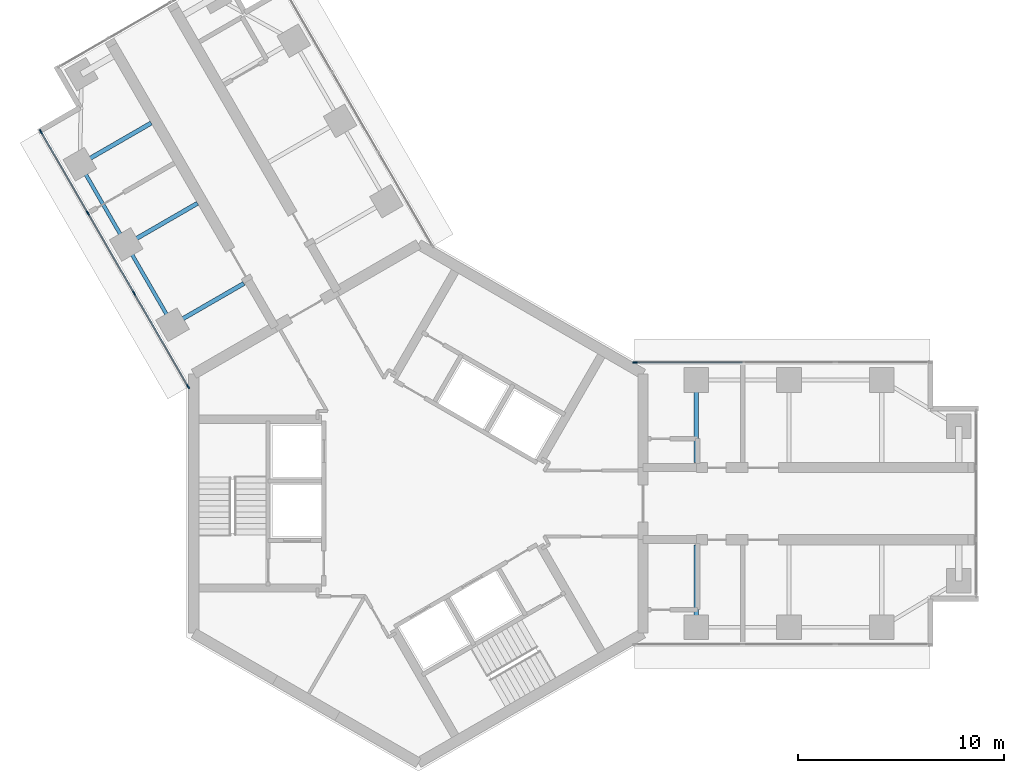
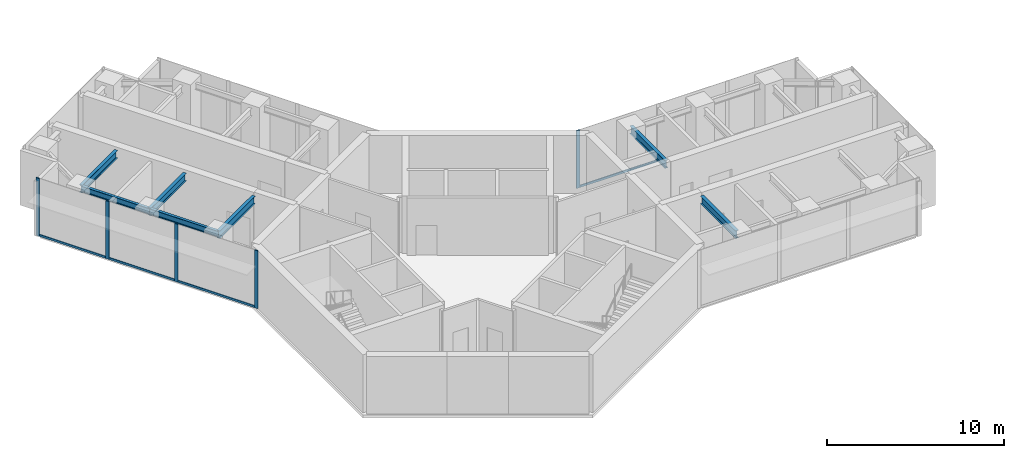
# One storey, part 5 of 17: 9 members, 7 beams, 2 elements without a shape of their own.
"""IFC4 building model written with IfcOpenShell, lengths in metres."""

from ifc_helpers import new_model, si_unit, direction, frame, origin, origin_2d, place, context, subcontext, project, spatial, rectangle, i_section, extrude, material, material_profile, profile_set, type_object, element, aggregate, save


model = new_model("IFC4")

# Units and contexts
model_context = context("Model", 3, precision=1e-05, world=origin(), true_north=direction((0.0, 1.0)))
body_context = subcontext(model_context, "Body", "Model", "MODEL_VIEW")
ifc_project = project(units=[si_unit("LENGTHUNIT", "METRE"), si_unit("AREAUNIT", "SQUARE_METRE"), si_unit("VOLUMEUNIT", "CUBIC_METRE"), si_unit("PLANEANGLEUNIT", "RADIAN"), si_unit("MASSUNIT", "GRAM", prefix="KILO")], contexts=[model_context])

# Site, building, storey
site_placement = place(None, origin())
site = spatial("IfcSite", under=ifc_project, at=site_placement, CompositionType="ELEMENT")
building_placement = place(site_placement, origin())
building = spatial("IfcBuilding", under=site, at=building_placement, Name="Upepo Twin Towers", CompositionType="ELEMENT")
storey_placement = place(building_placement, frame((0.0, 0.0, 178.5)))
storey = spatial("IfcBuildingStorey", under=building, at=storey_placement, Name="L43", CompositionType="ELEMENT", Elevation=178.5)

# Beams
ifc_material_1 = material(Name="Steel S355", Category="steel")
ifc_material_profile_1 = material_profile(ifc_material_1, i_section(OverallWidth=0.177978515625, OverallDepth=0.406494140625, WebThickness=0.0078125, FlangeThickness=0.0126953125, FilletRadius=0.01025390625, at=origin_2d()), Name="UB 406x178x60")
ifc_profile_set_1 = profile_set([ifc_material_profile_1], Name="Steel S355")
beam_type_1 = type_object("IfcBeamType", Name="Beam UB 406x178x60", PredefinedType="BEAM", material=ifc_profile_set_1)
beam_1_placement = place(storey_placement, frame((-11.946044921875, 8.69140625, 3.5966796875), z_axis=(-0.500013631625, 0.866017533419, 0.0), x_axis=(-0.866017533419, -0.500013631625, 0.0)))
element("IfcBeam", 1, at=beam_1_placement, inside=storey, type_object=beam_type_1, Name="T1 edge beam BL 13.5-18.0", PredefinedType="BEAM", context=body_context, shape_type="SweptSolid", body=[
    extrude(i_section(OverallWidth=0.177978515625, OverallDepth=0.406494140625, WebThickness=0.0078125, FlangeThickness=0.0126953125, FilletRadius=0.01025390625, at=origin_2d()), origin(), (0.0, 0.0, 1.0), 4.499755859375),
])
beam_2_placement = place(storey_placement, frame((-14.196044921875, 12.58837890625, 3.5966796875), z_axis=(-0.499990139034, 0.866031096941, 0.0), x_axis=(-0.866031096941, -0.499990139034, 0.0)))
element("IfcBeam", 2, at=beam_2_placement, inside=storey, type_object=beam_type_1, Name="T1 edge beam BL 18.0-22.5", PredefinedType="BEAM", context=body_context, shape_type="SweptSolid", body=[
    extrude(i_section(OverallWidth=0.177978515625, OverallDepth=0.406494140625, WebThickness=0.0078125, FlangeThickness=0.0126953125, FilletRadius=0.01025390625, at=origin_2d()), origin(), (0.0, 0.0, 1.0), 4.5),
])
ifc_material_2 = material(Name="Steel S355", Category="steel")
ifc_material_profile_2 = material_profile(ifc_material_2, i_section(OverallWidth=0.209228515625, OverallDepth=0.533203125, WebThickness=0.010009765625, FlangeThickness=0.015625, FilletRadius=0.0126953125, at=origin_2d()), Name="UB 533x210x92")
ifc_profile_set_2 = profile_set([ifc_material_profile_2], Name="Steel S355")
beam_type_2 = type_object("IfcBeamType", Name="Beam UB 533x210x92", PredefinedType="BEAM", material=ifc_profile_set_2)
for number, where, z_axis, x_axis, name in (
    (3, (13.5, 6.0, 3.533447265625), (0.0, -1.0, 0.0), (1.0, 0.0, 0.0), "T1 girder AL at 13.5"),
    (4, (13.5, -6.0, 3.533447265625), (0.0, 1.0, 0.0), (-1.0, 0.0, 0.0), "T1 girder AR at 13.5"),
    (5, (-11.946044921875, 8.69140625, 3.533447265625), (0.866026010844, 0.49999894854, 0.0), (-0.49999894854, 0.866026010844, 0.0), "T1 girder BL at 13.5"),
    (6, (-14.196044921875, 12.58837890625, 3.533447265625), (0.866026010844, 0.49999894854, 0.0), (-0.49999894854, 0.866026010844, 0.0), "T1 girder BL at 18.0"),
    (7, (-16.446044921875, 16.485595703125, 3.533447265625), (0.866026010844, 0.49999894854, 0.0), (-0.49999894854, 0.866026010844, 0.0), "T1 girder BL at 22.5"),
):
    element("IfcBeam", number, at=place(storey_placement, frame(where, z_axis=z_axis, x_axis=x_axis)), inside=storey, type_object=beam_type_2, Name=name, PredefinedType="BEAM", context=body_context, shape_type="SweptSolid", body=[
        extrude(i_section(OverallWidth=0.209228515625, OverallDepth=0.533203125, WebThickness=0.010009765625, FlangeThickness=0.015625, FilletRadius=0.0126953125, at=origin_2d()), origin(), (0.0, 0.0, 1.0), 4.0),
    ])

# Curtain wall, member
ifc_material_3 = material(Name="Aluminium and fritted glass", Category="aluminium")
curtain_wall_type = type_object("IfcCurtainWallType", Name="Tower curtain wall TW3, fritted glass", PredefinedType="NOTDEFINED", material=ifc_material_3)
curtain_wall_1_placement = place(storey_placement, origin())
curtain_wall_1 = element("IfcCurtainWall", 8, at=curtain_wall_1_placement, inside=storey, type_object=curtain_wall_type, Name="T1 L43 wing A flank L curtain wall", PredefinedType="NOTDEFINED")
ifc_material_4 = material(Name="Aluminium mullion", Category="aluminium")
ifc_material_profile_3 = material_profile(ifc_material_4, rectangle(XDim=0.06494140625, YDim=0.22509765625, at=origin_2d()), Name="MULLION 65x225")
ifc_profile_set_3 = profile_set([ifc_material_profile_3], Name="Aluminium mullion")
member_type_1 = type_object("IfcMemberType", Name="Mullion 65x225 TW3", PredefinedType="MULLION", material=ifc_profile_set_3)
member_1_placement = place(storey_placement, frame((10.51953125, 6.85009765625, 0.0), z_axis=(0.0, 0.0, 1.0), x_axis=(0.0, 1.0, 0.0)))
member_1 = element("IfcMember", 9, at=member_1_placement, type_object=member_type_1, Name="T1 L43 wing A flank L curtain wall mullion 1", PredefinedType="MULLION", context=body_context, shape_type="SweptSolid", body=[
    extrude(rectangle(XDim=0.06494140625, YDim=0.22509765625, at=origin_2d()), origin(), (0.0, 0.0, 1.0), 4.0),
])

# Curtain wall, members
curtain_wall_2_placement = place(storey_placement, origin())
curtain_wall_2 = element("IfcCurtainWall", 10, at=curtain_wall_2_placement, inside=storey, type_object=curtain_wall_type, Name="T1 L43 wing B flank L curtain wall", PredefinedType="NOTDEFINED")
member_2_placement = place(storey_placement, frame((-11.192138671875, 5.685302734375, 0.0), z_axis=(0.0, 0.0, 1.0), x_axis=(-0.866025388469, -0.500000026527, 0.0)))
member_2 = element("IfcMember", 11, at=member_2_placement, type_object=member_type_1, Name="T1 L43 wing B flank L curtain wall mullion 1", PredefinedType="MULLION", context=body_context, shape_type="SweptSolid", body=[
    extrude(rectangle(XDim=0.06494140625, YDim=0.22509765625, at=origin_2d()), origin(), (0.0, 0.0, 1.0), 4.0),
])
member_3_placement = place(storey_placement, frame((-13.807373046875, 10.21484375, 0.0), z_axis=(0.0, 0.0, 1.0), x_axis=(-0.866025388469, -0.500000026527, 0.0)))
member_3 = element("IfcMember", 12, at=member_3_placement, type_object=member_type_1, Name="T1 L43 wing B flank L curtain wall mullion 2", PredefinedType="MULLION", context=body_context, shape_type="SweptSolid", body=[
    extrude(rectangle(XDim=0.06494140625, YDim=0.22509765625, at=origin_2d()), origin(), (0.0, 0.0, 1.0), 4.0),
])
member_4_placement = place(storey_placement, frame((-16.057373046875, 14.112060546875, 0.0), z_axis=(0.0, 0.0, 1.0), x_axis=(-0.866025388469, -0.500000026527, 0.0)))
member_4 = element("IfcMember", 13, at=member_4_placement, type_object=member_type_1, Name="T1 L43 wing B flank L curtain wall mullion 3", PredefinedType="MULLION", context=body_context, shape_type="SweptSolid", body=[
    extrude(rectangle(XDim=0.06494140625, YDim=0.22509765625, at=origin_2d()), origin(), (0.0, 0.0, 1.0), 4.0),
])
member_5_placement = place(storey_placement, frame((-18.341064453125, 18.067626953125, 0.0), z_axis=(0.0, 0.0, 1.0), x_axis=(-0.866025388469, -0.500000026527, 0.0)))
member_5 = element("IfcMember", 14, at=member_5_placement, type_object=member_type_1, Name="T1 L43 wing B flank L curtain wall mullion 4", PredefinedType="MULLION", context=body_context, shape_type="SweptSolid", body=[
    extrude(rectangle(XDim=0.06494140625, YDim=0.22509765625, at=origin_2d()), origin(), (0.0, 0.0, 1.0), 4.0),
])

# Member
ifc_material_5 = material(Name="Aluminium transom", Category="aluminium")
ifc_material_profile_4 = material_profile(ifc_material_5, rectangle(XDim=0.06494140625, YDim=0.14990234375, at=origin_2d()), Name="TRANSOM 65x150")
ifc_profile_set_4 = profile_set([ifc_material_profile_4], Name="Aluminium transom")
member_type_2 = type_object("IfcMemberType", Name="Transom 65x150 TW3", PredefinedType="USERDEFINED", material=ifc_profile_set_4)
member_6_placement = place(storey_placement, frame((10.552001953125, 6.85009765625, 0.074951171875), z_axis=(1.0, 0.0, 0.0), x_axis=(0.0, 1.0, 0.0)))
member_6 = element("IfcMember", 15, at=member_6_placement, type_object=member_type_2, Name="T1 L43 wing A flank L curtain wall transom 1", ObjectType="TRANSOM", PredefinedType="USERDEFINED", context=body_context, shape_type="SweptSolid", body=[
    extrude(rectangle(XDim=0.06494140625, YDim=0.14990234375, at=origin_2d()), origin(), (0.0, 0.0, 1.0), 5.16552734375),
])

aggregate(curtain_wall_1, [member_1, member_6])

member_7_placement = place(storey_placement, frame((-11.208251953125, 5.71337890625, 0.074951171875), z_axis=(-0.500007480159, 0.86602108507, 0.0), x_axis=(-0.86602108507, -0.500007480159, 0.0)))
member_7 = element("IfcMember", 16, at=member_7_placement, type_object=member_type_2, Name="T1 L43 wing B flank L curtain wall transom 1", ObjectType="TRANSOM", PredefinedType="USERDEFINED", context=body_context, shape_type="SweptSolid", body=[
    extrude(rectangle(XDim=0.06494140625, YDim=0.14990234375, at=origin_2d()), origin(), (0.0, 0.0, 1.0), 5.16552734375),
])

member_8_placement = place(storey_placement, frame((-13.823486328125, 10.2431640625, 0.074951171875), z_axis=(-0.500005184116, 0.866022410713, 0.0), x_axis=(-0.866022410713, -0.500005184116, 0.0)))
member_8 = element("IfcMember", 17, at=member_8_placement, type_object=member_type_2, Name="T1 L43 wing B flank L curtain wall transom 2", ObjectType="TRANSOM", PredefinedType="USERDEFINED", context=body_context, shape_type="SweptSolid", body=[
    extrude(rectangle(XDim=0.06494140625, YDim=0.14990234375, at=origin_2d()), origin(), (0.0, 0.0, 1.0), 4.43505859375),
])

member_9_placement = place(storey_placement, frame((-16.073486328125, 14.14013671875, 0.074951171875), z_axis=(-0.499982167615, 0.866035699072, 0.0), x_axis=(-0.866035699072, -0.499982167615, 0.0)))
member_9 = element("IfcMember", 18, at=member_9_placement, type_object=member_type_2, Name="T1 L43 wing B flank L curtain wall transom 3", ObjectType="TRANSOM", PredefinedType="USERDEFINED", context=body_context, shape_type="SweptSolid", body=[
    extrude(rectangle(XDim=0.06494140625, YDim=0.14990234375, at=origin_2d()), origin(), (0.0, 0.0, 1.0), 4.502685546875),
])

aggregate(curtain_wall_2, [member_2, member_3, member_4, member_5, member_7, member_8, member_9])

save(model, "model.ifc")
